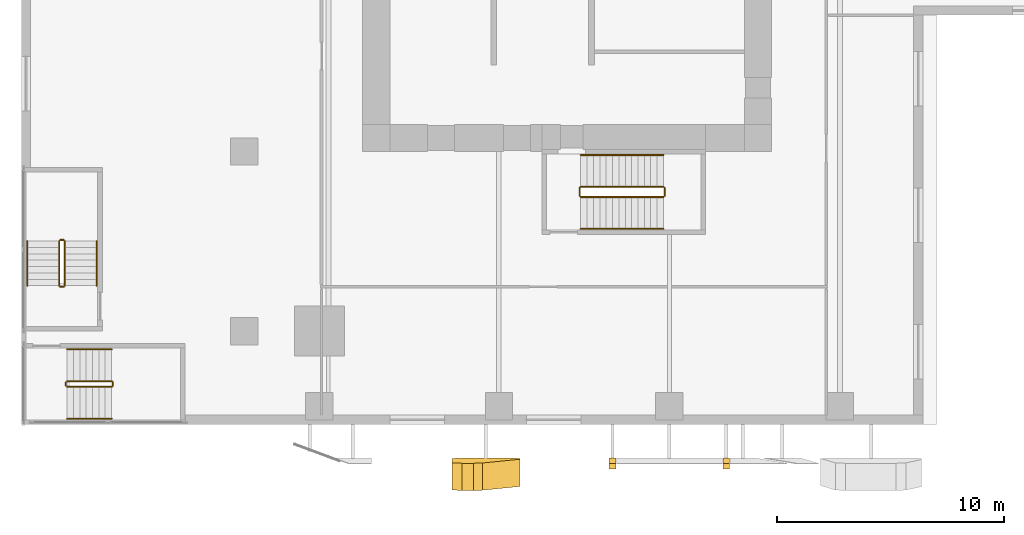
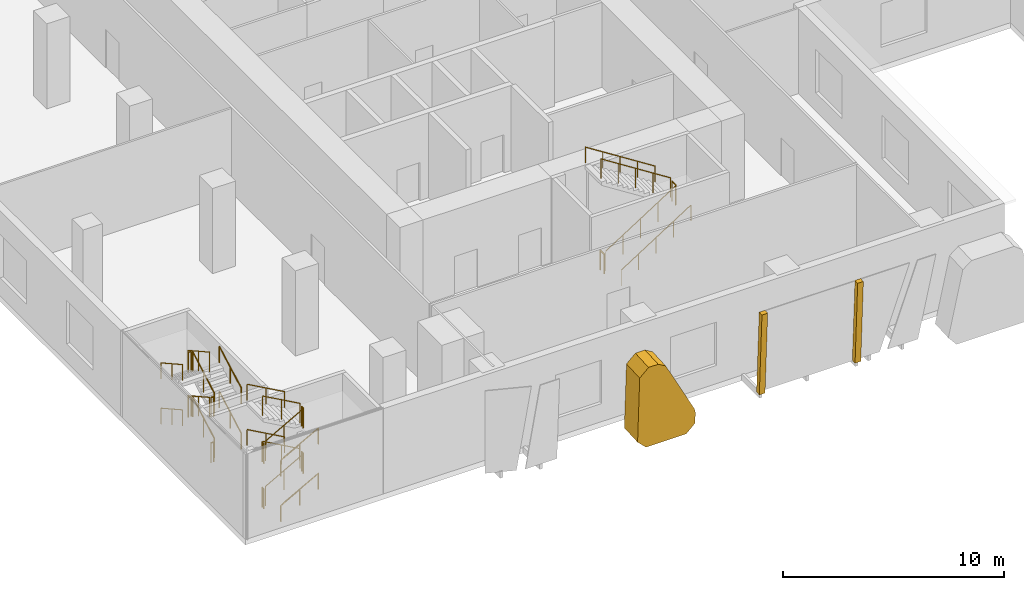
# One storey, part 17 of 23: 30 railings, 3 coverings.
"""IFC4 building model written with IfcOpenShell, lengths in metres."""

from ifc_helpers import new_model, si_unit, direction, frame, origin, origin_2d, place, context, subcontext, project, spatial, polyline, circle, outline, extrude, source, transform, mapped, material, layer, layer_set, type_object, element, save


model = new_model("IFC4")

# Units and contexts
model_context = context("Model", 3, precision=1e-05, world=origin(), true_north=direction((0.0, 1.0)))
body_context = subcontext(model_context, "Body", "Model", "MODEL_VIEW")
ifc_project = project(units=[si_unit("LENGTHUNIT", "METRE"), si_unit("AREAUNIT", "SQUARE_METRE"), si_unit("VOLUMEUNIT", "CUBIC_METRE"), si_unit("PLANEANGLEUNIT", "RADIAN"), si_unit("MASSUNIT", "GRAM", prefix="KILO")], contexts=[model_context])

# Site, building, storey
site_placement = place(None, origin())
site = spatial("IfcSite", under=ifc_project, at=site_placement, CompositionType="ELEMENT")
building_placement = place(site_placement, origin())
building = spatial("IfcBuilding", under=site, at=building_placement, Name="Khomas Fold Tower", CompositionType="ELEMENT")
storey_placement = place(building_placement, frame((0.0, 0.0, 18.5)))
storey = spatial("IfcBuildingStorey", under=building, at=storey_placement, Name="L03", CompositionType="ELEMENT", Elevation=18.5)

# Coverings
ifc_material_1 = material(Name="Natural stone cladding", Category="masonry")
ifc_layer_1 = layer(ifc_material_1, 0.25)
ifc_layer_set_1 = layer_set([ifc_layer_1], Name="Natural stone cladding")
covering_type_1 = type_object("IfcCoveringType", Name="SK-Karibib marble stone mullion", PredefinedType="CLADDING", material=ifc_layer_set_1)
for number, where, z_axis, x_axis, name in (
    (1, (17.14990234375, -1.71484375, 4.550048828125), (0.0, 0.99863156095, 0.052297279792), (0.0, 0.052297279792, -0.99863156095), "OUTER SKIN mullion L03 SM101-4"),
    (2, (22.14990234375, -1.71484375, 4.550048828125), (0.0, 0.99863156095, 0.052297279792), (0.0, 0.052297279792, -0.99863156095), "OUTER SKIN mullion L03 SM102-6"),
):
    element("IfcCovering", number, at=place(storey_placement, frame(where, z_axis=z_axis, x_axis=x_axis)), inside=storey, type_object=covering_type_1, Name=name, PredefinedType="CLADDING", context=body_context, shape_type="SweptSolid", body=[
        extrude(outline(polyline([(0.0, 0.0), (4.556283824831729, 0.0), (4.556283824831729, 0.2998046875), (0.0, 0.2998046875), (0.0, 0.0)])), origin(), (0.0, 0.0, -1.0), 0.25),
    ])
ifc_material_2 = material(Name="Natural stone cladding", Category="masonry")
ifc_layer_2 = layer(ifc_material_2, 1.199951171875)
ifc_layer_set_2 = layer_set([ifc_layer_2], Name="Natural stone cladding")
covering_type_2 = type_object("IfcCoveringType", Name="SK-Karibib marble stone panel", PredefinedType="CLADDING", material=ifc_layer_set_2)
covering_placement = place(storey_placement, frame((9.929931640625, -1.5, 0.449951171875), z_axis=(-7.202245e-06, 0.998630908838, 0.052309730085), x_axis=(-4.06e-10, -0.052309730086, 0.998630908864)))
element("IfcCovering", 3, at=covering_placement, inside=storey, type_object=covering_type_2, Name="OUTER SKIN leaf L03 SS03-1", PredefinedType="CLADDING", context=body_context, shape_type="SweptSolid", body=[
    extrude(outline(polyline([(0.0, 0.0), (3.6551615104520323, 0.0), (4.105722667282172, 0.44995117299269904), (4.105722667077613, 0.9538574229796296), (3.8649220708549974, 1.3522949218254807), (0.8260821919858624, 2.9482421877534426), (0.6163216310129247, 3.000000000266546), (-1.2178449988518995e-09, 2.9999999999221916), (-0.4505611580479847, 2.5500488269294923), (-0.4505611571954536, 0.44995117073396096), (0.0, 0.0)])), origin(), (0.0, 0.0, -1.0), 1.199951171875),
])

# Railings
ifc_material_3 = material(Name="Steel balustrade", Category="steel")
railing_type_1 = type_object("IfcRailingType", Name="Stair guard", PredefinedType="GUARDRAIL", material=ifc_material_3)
shared_shape_1 = source(origin(), body_context, "Body", "SweptSolid", [
    extrude(circle(Radius=0.02392578125, at=origin_2d()), frame((0.0, 0.0, 1.076171875), z_axis=(0.0, 1.0, 0.0), x_axis=(-1.0, 0.0, 0.0)), (0.0, 0.0, 1.0), 0.349853515625),
    extrude(circle(Radius=0.02099609375, at=origin_2d()), origin(), (0.0, 0.0, 1.0), 1.052001953125),
    extrude(circle(Radius=0.02099609375, at=origin_2d()), frame((0.0, 0.349853515625, 0.0)), (0.0, 0.0, 1.0), 1.052001953125),
])
for number, where, name in (
    (4, (19.2900390625, 10.050048828125, 2.5), "L03 ST2 stair guard 2"),
    (5, (15.550048828125, 10.050048828125, 0.0), "L03 ST2 stair guard 4"),
):
    element("IfcRailing", number, at=place(storey_placement, frame(where)), inside=storey, type_object=railing_type_1, Name=name, PredefinedType="GUARDRAIL", context=body_context, shape_type="MappedRepresentation", body=[
        mapped(shared_shape_1, transform((0.0, 0.0, 0.0))),
    ])
shared_shape_2 = source(origin(), body_context, "Body", "SweptSolid", [
    extrude(circle(Radius=0.02392578125, at=origin_2d()), frame((0.0, 0.0, 1.076171875), z_axis=(0.843111507901, 0.0, 0.53773877045), x_axis=(0.0, 1.0, 0.0)), (0.0, 0.0, 1.0), 4.317138671875),
    extrude(circle(Radius=0.02099609375, at=origin_2d()), origin(), (0.0, 0.0, 1.0), 1.052001953125),
    extrude(circle(Radius=0.02099609375, at=origin_2d()), frame((0.909912109375, 0.0, 0.580322265625)), (0.0, 0.0, 1.0), 1.052001953125),
    extrude(circle(Radius=0.02099609375, at=origin_2d()), frame((1.81982421875, 0.0, 1.16064453125)), (0.0, 0.0, 1.0), 1.052001953125),
    extrude(circle(Radius=0.02099609375, at=origin_2d()), frame((2.72998046875, 0.0, 1.7412109375)), (0.0, 0.0, 1.0), 1.052001953125),
    extrude(circle(Radius=0.02099609375, at=origin_2d()), frame((3.639892578125, 0.0, 2.321533203125)), (0.0, 0.0, 1.0), 1.052001953125),
])
railing_1_placement = place(storey_placement, frame((15.60009765625, 10.0, 0.178466796875)))
element("IfcRailing", 6, at=railing_1_placement, inside=storey, type_object=railing_type_1, Name="L03 ST2 stair guard 1", PredefinedType="GUARDRAIL", context=body_context, shape_type="MappedRepresentation", body=[
    mapped(shared_shape_2, transform((0.0, 0.0, 0.0))),
])
shared_shape_3 = source(origin(), body_context, "Body", "SweptSolid", [
    extrude(circle(Radius=0.02392578125, at=origin_2d()), frame((0.0, 0.0, 1.076171875), z_axis=(-0.843111507901, 0.0, 0.53773877045), x_axis=(0.0, -1.0, 0.0)), (0.0, 0.0, 1.0), 4.317138671875),
    extrude(circle(Radius=0.02099609375, at=origin_2d()), origin(), (0.0, 0.0, 1.0), 1.052001953125),
    extrude(circle(Radius=0.02099609375, at=origin_2d()), frame((-0.909912109375, 0.0, 0.580322265625)), (0.0, 0.0, 1.0), 1.052001953125),
    extrude(circle(Radius=0.02099609375, at=origin_2d()), frame((-1.81982421875, 0.0, 1.16064453125)), (0.0, 0.0, 1.0), 1.052001953125),
    extrude(circle(Radius=0.02099609375, at=origin_2d()), frame((-2.72998046875, 0.0, 1.7412109375)), (0.0, 0.0, 1.0), 1.052001953125),
    extrude(circle(Radius=0.02099609375, at=origin_2d()), frame((-3.639892578125, 0.0, 2.321533203125)), (0.0, 0.0, 1.0), 1.052001953125),
])
railing_2_placement = place(storey_placement, frame((19.239990234375, 10.449951171875, 2.678466796875)))
element("IfcRailing", 7, at=railing_2_placement, inside=storey, type_object=railing_type_1, Name="L03 ST2 stair guard 3", PredefinedType="GUARDRAIL", context=body_context, shape_type="MappedRepresentation", body=[
    mapped(shared_shape_3, transform((0.0, 0.0, 0.0))),
])
ifc_material_4 = material(Name="Steel handrail", Category="steel")
railing_type_2 = type_object("IfcRailingType", Name="Stair handrail", PredefinedType="HANDRAIL", material=ifc_material_4)
shared_shape_4 = source(origin(), body_context, "Body", "SweptSolid", [
    extrude(circle(Radius=0.02392578125, at=origin_2d()), frame((0.0, 0.0, 0.8759765625), z_axis=(0.843111507901, 0.0, 0.53773877045), x_axis=(0.0, 1.0, 0.0)), (0.0, 0.0, 1.0), 4.317138671875),
    extrude(circle(Radius=0.02099609375, at=origin_2d()), origin(), (0.0, 0.0, 1.0), 0.851806640625),
    extrude(circle(Radius=0.02099609375, at=origin_2d()), frame((0.909912109375, 0.0, 0.580322265625)), (0.0, 0.0, 1.0), 0.851806640625),
    extrude(circle(Radius=0.02099609375, at=origin_2d()), frame((1.81982421875, 0.0, 1.16064453125)), (0.0, 0.0, 1.0), 0.851806640625),
    extrude(circle(Radius=0.02099609375, at=origin_2d()), frame((2.72998046875, 0.0, 1.7412109375)), (0.0, 0.0, 1.0), 0.851806640625),
    extrude(circle(Radius=0.02099609375, at=origin_2d()), frame((3.639892578125, 0.0, 2.321533203125)), (0.0, 0.0, 1.0), 0.851806640625),
])
railing_3_placement = place(storey_placement, frame((15.60009765625, 8.60009765625, 0.178466796875)))
element("IfcRailing", 8, at=railing_3_placement, inside=storey, type_object=railing_type_2, Name="L03 ST2 stair handrail 1", PredefinedType="HANDRAIL", context=body_context, shape_type="MappedRepresentation", body=[
    mapped(shared_shape_4, transform((0.0, 0.0, 0.0))),
])
shared_shape_5 = source(origin(), body_context, "Body", "SweptSolid", [
    extrude(circle(Radius=0.02392578125, at=origin_2d()), frame((0.0, 0.0, 0.8759765625), z_axis=(-0.843111507901, 0.0, 0.53773877045), x_axis=(0.0, -1.0, 0.0)), (0.0, 0.0, 1.0), 4.317138671875),
    extrude(circle(Radius=0.02099609375, at=origin_2d()), origin(), (0.0, 0.0, 1.0), 0.851806640625),
    extrude(circle(Radius=0.02099609375, at=origin_2d()), frame((-0.909912109375, 0.0, 0.580322265625)), (0.0, 0.0, 1.0), 0.851806640625),
    extrude(circle(Radius=0.02099609375, at=origin_2d()), frame((-1.81982421875, 0.0, 1.16064453125)), (0.0, 0.0, 1.0), 0.851806640625),
    extrude(circle(Radius=0.02099609375, at=origin_2d()), frame((-2.72998046875, 0.0, 1.7412109375)), (0.0, 0.0, 1.0), 0.851806640625),
    extrude(circle(Radius=0.02099609375, at=origin_2d()), frame((-3.639892578125, 0.0, 2.321533203125)), (0.0, 0.0, 1.0), 0.851806640625),
])
railing_4_placement = place(storey_placement, frame((19.239990234375, 11.85009765625, 2.678466796875)))
element("IfcRailing", 9, at=railing_4_placement, inside=storey, type_object=railing_type_2, Name="L03 ST2 stair handrail 2", PredefinedType="HANDRAIL", context=body_context, shape_type="MappedRepresentation", body=[
    mapped(shared_shape_5, transform((0.0, 0.0, 0.0))),
])
shared_shape_6 = source(origin(), body_context, "Body", "SweptSolid", [
    extrude(circle(Radius=0.02392578125, at=origin_2d()), frame((0.0, 0.0, 1.076171875), z_axis=(0.0, 1.0, 0.0), x_axis=(-1.0, 0.0, 0.0)), (0.0, 0.0, 1.0), 0.150146484375),
    extrude(circle(Radius=0.02099609375, at=origin_2d()), origin(), (0.0, 0.0, 1.0), 1.052001953125),
    extrude(circle(Radius=0.02099609375, at=origin_2d()), frame((0.0, 0.150146484375, 0.0)), (0.0, 0.0, 1.0), 1.052001953125),
])
for number, where, name in (
    (10, (-4.989990234375, 1.699951171875, 1.25), "L03 PS1 stair guard 2"),
    (11, (-7.050048828125, 1.699951171875, 2.5), "L03 PS1 stair guard 4"),
    (12, (-4.989990234375, 1.699951171875, 3.75), "L03 PS1 stair guard 6"),
    (13, (-7.050048828125, 1.699951171875, 0.0), "L03 PS1 stair guard 8"),
):
    element("IfcRailing", number, at=place(storey_placement, frame(where)), inside=storey, type_object=railing_type_1, Name=name, PredefinedType="GUARDRAIL", context=body_context, shape_type="MappedRepresentation", body=[
        mapped(shared_shape_6, transform((0.0, 0.0, 0.0))),
    ])
shared_shape_7 = source(origin(), body_context, "Body", "SweptSolid", [
    extrude(circle(Radius=0.02392578125, at=origin_2d()), frame((0.0, 0.0, 1.076171875), z_axis=(0.873232148454, 0.0, 0.487304437602), x_axis=(0.0, 1.0, 0.0)), (0.0, 0.0, 1.0), 2.244384765625),
    extrude(circle(Radius=0.02099609375, at=origin_2d()), origin(), (0.0, 0.0, 1.0), 1.052001953125),
    extrude(circle(Radius=0.02099609375, at=origin_2d()), frame((0.97998046875, 0.0, 0.546875)), (0.0, 0.0, 1.0), 1.052001953125),
    extrude(circle(Radius=0.02099609375, at=origin_2d()), frame((1.9599609375, 0.0, 1.09375)), (0.0, 0.0, 1.0), 1.052001953125),
])
for number, where, name in (
    (14, (-7.0, 1.64990234375, 0.15625), "L03 PS1 stair guard 1"),
    (15, (-7.0, 1.64990234375, 2.65625), "L03 PS1 stair guard 5"),
):
    element("IfcRailing", number, at=place(storey_placement, frame(where)), inside=storey, type_object=railing_type_1, Name=name, PredefinedType="GUARDRAIL", context=body_context, shape_type="MappedRepresentation", body=[
        mapped(shared_shape_7, transform((0.0, 0.0, 0.0))),
    ])
shared_shape_8 = source(origin(), body_context, "Body", "SweptSolid", [
    extrude(circle(Radius=0.02392578125, at=origin_2d()), frame((0.0, 0.0, 1.076171875), z_axis=(-0.873232148454, 0.0, 0.487304437602), x_axis=(0.0, -1.0, 0.0)), (0.0, 0.0, 1.0), 2.244384765625),
    extrude(circle(Radius=0.02099609375, at=origin_2d()), origin(), (0.0, 0.0, 1.0), 1.052001953125),
    extrude(circle(Radius=0.02099609375, at=origin_2d()), frame((-0.97998046875, 0.0, 0.546875)), (0.0, 0.0, 1.0), 1.052001953125),
    extrude(circle(Radius=0.02099609375, at=origin_2d()), frame((-1.9599609375, 0.0, 1.09375)), (0.0, 0.0, 1.0), 1.052001953125),
])
for number, where, name in (
    (16, (-5.0400390625, 1.89990234375, 1.40625), "L03 PS1 stair guard 3"),
    (17, (-5.0400390625, 1.89990234375, 3.90625), "L03 PS1 stair guard 7"),
):
    element("IfcRailing", number, at=place(storey_placement, frame(where)), inside=storey, type_object=railing_type_1, Name=name, PredefinedType="GUARDRAIL", context=body_context, shape_type="MappedRepresentation", body=[
        mapped(shared_shape_8, transform((0.0, 0.0, 0.0))),
    ])
shared_shape_9 = source(origin(), body_context, "Body", "SweptSolid", [
    extrude(circle(Radius=0.02392578125, at=origin_2d()), frame((0.0, 0.0, 0.8759765625), z_axis=(0.873232148454, 0.0, 0.487304437602), x_axis=(0.0, 1.0, 0.0)), (0.0, 0.0, 1.0), 2.244384765625),
    extrude(circle(Radius=0.02099609375, at=origin_2d()), origin(), (0.0, 0.0, 1.0), 0.851806640625),
    extrude(circle(Radius=0.02099609375, at=origin_2d()), frame((0.97998046875, 0.0, 0.546875)), (0.0, 0.0, 1.0), 0.851806640625),
    extrude(circle(Radius=0.02099609375, at=origin_2d()), frame((1.9599609375, 0.0, 1.09375)), (0.0, 0.0, 1.0), 0.851806640625),
])
for number, where, name in (
    (18, (-7.0, 0.25, 0.15625), "L03 PS1 stair handrail 1"),
    (19, (-7.0, 0.25, 2.65625), "L03 PS1 stair handrail 3"),
):
    element("IfcRailing", number, at=place(storey_placement, frame(where)), inside=storey, type_object=railing_type_2, Name=name, PredefinedType="HANDRAIL", context=body_context, shape_type="MappedRepresentation", body=[
        mapped(shared_shape_9, transform((0.0, 0.0, 0.0))),
    ])
shared_shape_10 = source(origin(), body_context, "Body", "SweptSolid", [
    extrude(circle(Radius=0.02392578125, at=origin_2d()), frame((0.0, 0.0, 0.8759765625), z_axis=(-0.873232148454, 0.0, 0.487304437602), x_axis=(0.0, -1.0, 0.0)), (0.0, 0.0, 1.0), 2.244384765625),
    extrude(circle(Radius=0.02099609375, at=origin_2d()), origin(), (0.0, 0.0, 1.0), 0.851806640625),
    extrude(circle(Radius=0.02099609375, at=origin_2d()), frame((-0.97998046875, 0.0, 0.546875)), (0.0, 0.0, 1.0), 0.851806640625),
    extrude(circle(Radius=0.02099609375, at=origin_2d()), frame((-1.9599609375, 0.0, 1.09375)), (0.0, 0.0, 1.0), 0.851806640625),
])
for number, where, name in (
    (20, (-5.0400390625, 3.300048828125, 1.40625), "L03 PS1 stair handrail 2"),
    (21, (-5.0400390625, 3.300048828125, 3.90625), "L03 PS1 stair handrail 4"),
):
    element("IfcRailing", number, at=place(storey_placement, frame(where)), inside=storey, type_object=railing_type_2, Name=name, PredefinedType="HANDRAIL", context=body_context, shape_type="MappedRepresentation", body=[
        mapped(shared_shape_10, transform((0.0, 0.0, 0.0))),
    ])
shared_shape_11 = source(origin(), body_context, "Body", "SweptSolid", [
    extrude(circle(Radius=0.02392578125, at=origin_2d()), frame((0.0, 0.0, 1.076171875), z_axis=(-1.0, 0.0, 0.0), x_axis=(0.0, -1.0, 0.0)), (0.0, 0.0, 1.0), 0.150146484375),
    extrude(circle(Radius=0.02099609375, at=origin_2d()), origin(), (0.0, 0.0, 1.0), 1.052001953125),
    extrude(circle(Radius=0.02099609375, at=origin_2d()), frame((-0.150146484375, 0.0, 0.0)), (0.0, 0.0, 1.0), 1.052001953125),
])
for number, where, name in (
    (22, (-7.14990234375, 8.110107421875, 1.25), "L03 PS2 stair guard 2"),
    (23, (-7.14990234375, 6.050048828125, 2.5), "L03 PS2 stair guard 4"),
    (24, (-7.14990234375, 8.110107421875, 3.75), "L03 PS2 stair guard 6"),
    (25, (-7.14990234375, 6.050048828125, 0.0), "L03 PS2 stair guard 8"),
):
    element("IfcRailing", number, at=place(storey_placement, frame(where)), inside=storey, type_object=railing_type_1, Name=name, PredefinedType="GUARDRAIL", context=body_context, shape_type="MappedRepresentation", body=[
        mapped(shared_shape_11, transform((0.0, 0.0, 0.0))),
    ])
shared_shape_12 = source(origin(), body_context, "Body", "SweptSolid", [
    extrude(circle(Radius=0.02392578125, at=origin_2d()), frame((0.0, 0.0, 1.076171875), z_axis=(0.0, 0.873232148454, 0.487304437602), x_axis=(-1.0, 0.0, 0.0)), (0.0, 0.0, 1.0), 2.244384765625),
    extrude(circle(Radius=0.02099609375, at=origin_2d()), origin(), (0.0, 0.0, 1.0), 1.052001953125),
    extrude(circle(Radius=0.02099609375, at=origin_2d()), frame((0.0, 0.97998046875, 0.546875)), (0.0, 0.0, 1.0), 1.052001953125),
    extrude(circle(Radius=0.02099609375, at=origin_2d()), frame((0.0, 1.9599609375, 1.09375)), (0.0, 0.0, 1.0), 1.052001953125),
])
for number, where, name in (
    (26, (-7.10009765625, 6.10009765625, 0.15625), "L03 PS2 stair guard 1"),
    (27, (-7.10009765625, 6.10009765625, 2.65625), "L03 PS2 stair guard 5"),
):
    element("IfcRailing", number, at=place(storey_placement, frame(where)), inside=storey, type_object=railing_type_1, Name=name, PredefinedType="GUARDRAIL", context=body_context, shape_type="MappedRepresentation", body=[
        mapped(shared_shape_12, transform((0.0, 0.0, 0.0))),
    ])
shared_shape_13 = source(origin(), body_context, "Body", "SweptSolid", [
    extrude(circle(Radius=0.02392578125, at=origin_2d()), frame((0.0, 0.0, 1.076171875), z_axis=(0.0, -0.873232148454, 0.487304437602), x_axis=(1.0, 0.0, 0.0)), (0.0, 0.0, 1.0), 2.244384765625),
    extrude(circle(Radius=0.02099609375, at=origin_2d()), origin(), (0.0, 0.0, 1.0), 1.052001953125),
    extrude(circle(Radius=0.02099609375, at=origin_2d()), frame((0.0, -0.97998046875, 0.546875)), (0.0, 0.0, 1.0), 1.052001953125),
    extrude(circle(Radius=0.02099609375, at=origin_2d()), frame((0.0, -1.9599609375, 1.09375)), (0.0, 0.0, 1.0), 1.052001953125),
])
for number, where, name in (
    (28, (-7.35009765625, 8.06005859375, 1.40625), "L03 PS2 stair guard 3"),
    (29, (-7.35009765625, 8.06005859375, 3.90625), "L03 PS2 stair guard 7"),
):
    element("IfcRailing", number, at=place(storey_placement, frame(where)), inside=storey, type_object=railing_type_1, Name=name, PredefinedType="GUARDRAIL", context=body_context, shape_type="MappedRepresentation", body=[
        mapped(shared_shape_13, transform((0.0, 0.0, 0.0))),
    ])
shared_shape_14 = source(origin(), body_context, "Body", "SweptSolid", [
    extrude(circle(Radius=0.02392578125, at=origin_2d()), frame((0.0, 0.0, 0.8759765625), z_axis=(0.0, 0.873232148454, 0.487304437602), x_axis=(-1.0, 0.0, 0.0)), (0.0, 0.0, 1.0), 2.244384765625),
    extrude(circle(Radius=0.02099609375, at=origin_2d()), origin(), (0.0, 0.0, 1.0), 0.851806640625),
    extrude(circle(Radius=0.02099609375, at=origin_2d()), frame((0.0, 0.97998046875, 0.546875)), (0.0, 0.0, 1.0), 0.851806640625),
    extrude(circle(Radius=0.02099609375, at=origin_2d()), frame((0.0, 1.9599609375, 1.09375)), (0.0, 0.0, 1.0), 0.851806640625),
])
for number, where, name in (
    (30, (-5.699951171875, 6.10009765625, 0.15625), "L03 PS2 stair handrail 1"),
    (31, (-5.699951171875, 6.10009765625, 2.65625), "L03 PS2 stair handrail 3"),
):
    element("IfcRailing", number, at=place(storey_placement, frame(where)), inside=storey, type_object=railing_type_2, Name=name, PredefinedType="HANDRAIL", context=body_context, shape_type="MappedRepresentation", body=[
        mapped(shared_shape_14, transform((0.0, 0.0, 0.0))),
    ])
shared_shape_15 = source(origin(), body_context, "Body", "SweptSolid", [
    extrude(circle(Radius=0.02392578125, at=origin_2d()), frame((0.0, 0.0, 0.8759765625), z_axis=(0.0, -0.873232148454, 0.487304437602), x_axis=(1.0, 0.0, 0.0)), (0.0, 0.0, 1.0), 2.244384765625),
    extrude(circle(Radius=0.02099609375, at=origin_2d()), origin(), (0.0, 0.0, 1.0), 0.851806640625),
    extrude(circle(Radius=0.02099609375, at=origin_2d()), frame((0.0, -0.97998046875, 0.546875)), (0.0, 0.0, 1.0), 0.851806640625),
    extrude(circle(Radius=0.02099609375, at=origin_2d()), frame((0.0, -1.9599609375, 1.09375)), (0.0, 0.0, 1.0), 0.851806640625),
])
for number, where, name in (
    (32, (-8.75, 8.06005859375, 1.40625), "L03 PS2 stair handrail 2"),
    (33, (-8.75, 8.06005859375, 3.90625), "L03 PS2 stair handrail 4"),
):
    element("IfcRailing", number, at=place(storey_placement, frame(where)), inside=storey, type_object=railing_type_2, Name=name, PredefinedType="HANDRAIL", context=body_context, shape_type="MappedRepresentation", body=[
        mapped(shared_shape_15, transform((0.0, 0.0, 0.0))),
    ])

save(model, "model.ifc")
